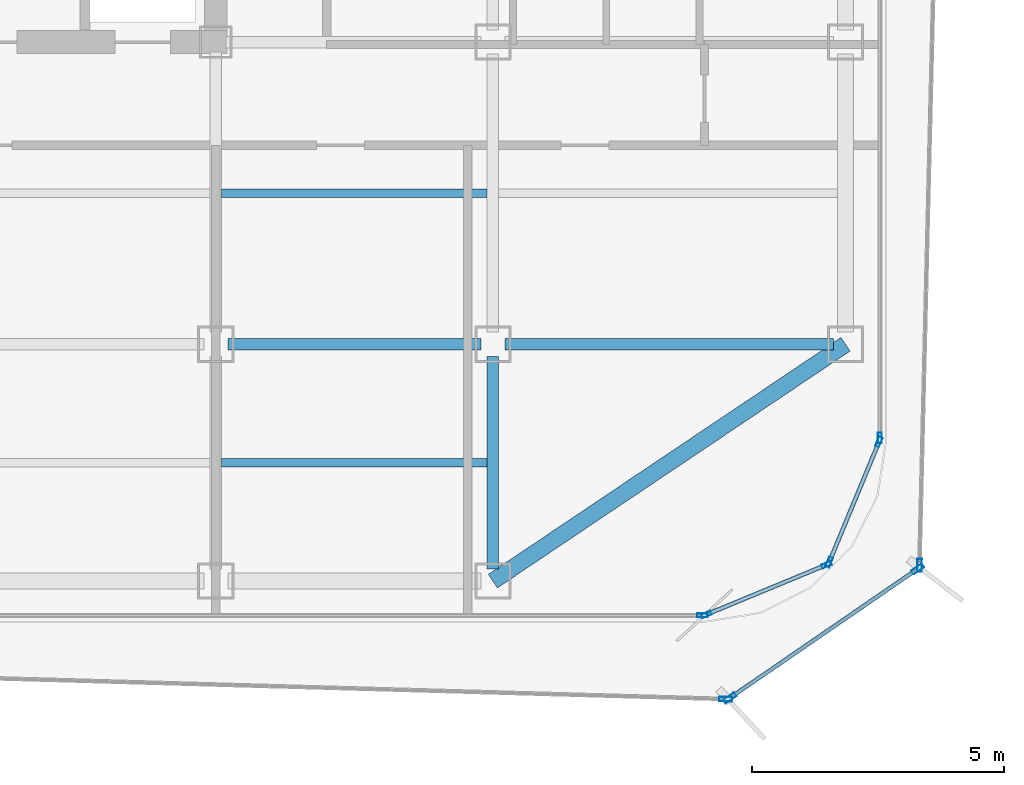
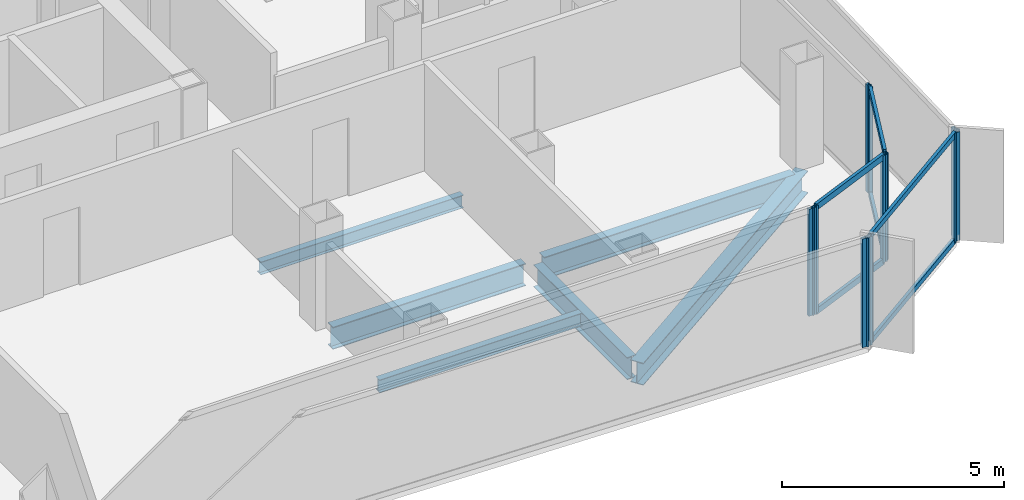
# One storey, part 4 of 15: 16 members, 6 beams, 7 elements without a shape of their own.
"""IFC4 building model written with IfcOpenShell, lengths in metres."""

from ifc_helpers import new_model, si_unit, direction, frame, origin, origin_2d, place, context, subcontext, project, spatial, hollow_rectangle, i_section, extrude, source, transform, mapped, material, layer, layer_set, material_profile, profile_set, type_object, element, aggregate, save


model = new_model("IFC4")

# Units and contexts
model_context = context("Model", 3, precision=1e-05, world=origin(), true_north=direction((0.0, 1.0)))
body_context = subcontext(model_context, "Body", "Model", "MODEL_VIEW")
ifc_project = project(units=[si_unit("LENGTHUNIT", "METRE"), si_unit("AREAUNIT", "SQUARE_METRE"), si_unit("VOLUMEUNIT", "CUBIC_METRE"), si_unit("PLANEANGLEUNIT", "RADIAN"), si_unit("MASSUNIT", "GRAM", prefix="KILO")], contexts=[model_context])

# Site, building, storey
site_placement = place(None, origin())
site = spatial("IfcSite", under=ifc_project, at=site_placement, CompositionType="ELEMENT")
building_placement = place(site_placement, origin())
building = spatial("IfcBuilding", under=site, at=building_placement, Name="Kolveth Station Tower", CompositionType="ELEMENT")
storey_placement = place(building_placement, frame((0.0, 0.0, 168.89990234375)))
storey = spatial("IfcBuildingStorey", under=building, at=storey_placement, Name="L47", CompositionType="ELEMENT", Elevation=168.89990234375)

# Beams
ifc_material_1 = material(Name="Steel S355", Category="steel")
ifc_material_profile_1 = material_profile(ifc_material_1, i_section(OverallWidth=0.323974609375, OverallDepth=0.611083984375, WebThickness=0.0126953125, FlangeThickness=0.01904296875, at=origin_2d()), Name="W610x155")
ifc_profile_set_1 = profile_set([ifc_material_profile_1], Name="Steel S355")
beam_type_1 = type_object("IfcBeamType", Name="Beam_SP2", PredefinedType="SPANDREL", material=ifc_profile_set_1)
shared_shape_1 = source(origin(), body_context, "Body", "SweptSolid", [
    extrude(i_section(OverallWidth=0.323974609375, OverallDepth=0.611083984375, WebThickness=0.0126953125, FlangeThickness=0.01904296875, at=origin_2d()), origin(), (0.0, 0.0, 1.0), 8.431396484375),
])
beam_1_placement = place(storey_placement, frame((34.0, 0.800048828125, -0.555419921875), z_axis=(0.830223811004, 0.557430196206, 0.0), x_axis=(-0.557430196206, 0.830223811004, 0.0)))
element("IfcBeam", 1, at=beam_1_placement, inside=storey, type_object=beam_type_1, Name="L47 Corner Edge Girder BM-L47-CNR-SE", PredefinedType="SPANDREL", context=body_context, shape_type="MappedRepresentation", body=[
    mapped(shared_shape_1, transform((0.0, 0.0, 0.0), x_axis=(1.0, 0.0, 0.0), y_axis=(0.0, 1.0, 0.0), z_axis=(0.0, 0.0, 1.0), scale=1.0)),
])
ifc_material_profile_2 = material_profile(ifc_material_1, i_section(OverallWidth=0.22900390625, OverallDepth=0.612060546875, WebThickness=0.011962890625, FlangeThickness=0.01953125, at=origin_2d()), Name="W610x125")
ifc_profile_set_2 = profile_set([ifc_material_profile_2], Name="Steel S355")
beam_type_2 = type_object("IfcBeamType", Name="Beam_B5", PredefinedType="BEAM", material=ifc_profile_set_2)
shared_shape_2 = source(origin(), body_context, "Body", "SweptSolid", [
    extrude(i_section(OverallWidth=0.22900390625, OverallDepth=0.612060546875, WebThickness=0.011962890625, FlangeThickness=0.01953125, at=origin_2d()), origin(), (0.0, 0.0, 1.0), 6.52001953125),
])
beam_2_placement = place(storey_placement, frame((34.239990234375, 5.5, -0.555908203125), z_axis=(1.0, 0.0, 0.0), x_axis=(0.0, 1.0, 0.0)))
element("IfcBeam", 2, at=beam_2_placement, inside=storey, type_object=beam_type_2, Name="L47 Primary Girder BM-L47-GY55-6", PredefinedType="BEAM", context=body_context, shape_type="MappedRepresentation", body=[
    mapped(shared_shape_2, transform((0.0, 0.0, 0.0), x_axis=(1.0, 0.0, 0.0), y_axis=(0.0, 1.0, 0.0), z_axis=(0.0, 0.0, 1.0), scale=1.0)),
])
shared_shape_3 = source(origin(), body_context, "Body", "SweptSolid", [
    extrude(i_section(OverallWidth=0.22900390625, OverallDepth=0.612060546875, WebThickness=0.011962890625, FlangeThickness=0.01953125, at=origin_2d()), origin(), (0.0, 0.0, 1.0), 5.02001953125),
])
beam_3_placement = place(storey_placement, frame((28.739990234375, 5.5, -0.555908203125), z_axis=(1.0, 0.0, 0.0), x_axis=(0.0, 1.0, 0.0)))
element("IfcBeam", 3, at=beam_3_placement, inside=storey, type_object=beam_type_2, Name="L47 Primary Girder BM-L47-GY55-5", PredefinedType="BEAM", context=body_context, shape_type="MappedRepresentation", body=[
    mapped(shared_shape_3, transform((0.0, 0.0, 0.0), x_axis=(1.0, 0.0, 0.0), y_axis=(0.0, 1.0, 0.0), z_axis=(0.0, 0.0, 1.0), scale=1.0)),
])
shared_shape_4 = source(origin(), body_context, "Body", "SweptSolid", [
    extrude(i_section(OverallWidth=0.22900390625, OverallDepth=0.612060546875, WebThickness=0.011962890625, FlangeThickness=0.01953125, at=origin_2d()), origin(), (0.0, 0.0, 1.0), 4.219970703125),
])
beam_4_placement = place(storey_placement, frame((34.0, 1.0400390625, -0.555908203125), z_axis=(0.0, 1.0, 0.0), x_axis=(-1.0, 0.0, 0.0)))
element("IfcBeam", 4, at=beam_4_placement, inside=storey, type_object=beam_type_2, Name="L47 Primary Girder BM-L47-GX340-1", PredefinedType="BEAM", context=body_context, shape_type="MappedRepresentation", body=[
    mapped(shared_shape_4, transform((0.0, 0.0, 0.0), x_axis=(1.0, 0.0, 0.0), y_axis=(0.0, 1.0, 0.0), z_axis=(0.0, 0.0, 1.0), scale=1.0)),
])
ifc_material_profile_3 = material_profile(ifc_material_1, i_section(OverallWidth=0.1708984375, OverallDepth=0.35205078125, WebThickness=0.0068359375, FlangeThickness=0.009765625, at=origin_2d()), Name="W360x44")
ifc_profile_set_3 = profile_set([ifc_material_profile_3], Name="Steel S355")
beam_type_3 = type_object("IfcBeamType", Name="Beam_J2", PredefinedType="JOIST", material=ifc_profile_set_3)
shared_shape_5 = source(origin(), body_context, "Body", "SweptSolid", [
    extrude(i_section(OverallWidth=0.1708984375, OverallDepth=0.35205078125, WebThickness=0.0068359375, FlangeThickness=0.009765625, at=origin_2d()), origin(), (0.0, 0.0, 1.0), 5.27490234375),
])
for number, where, z_axis, x_axis, name in (
    (5, (28.612548828125, 3.14990234375, -0.42578125), (1.0, 0.0, 0.0), (0.0, 1.0, 0.0), "L47 Secondary Joist JST-L47-5-1"),
    (6, (28.612548828125, 8.5, -0.42578125), (1.0, 0.0, 0.0), (0.0, 1.0, 0.0), "L47 Secondary Joist JST-L47-5-2"),
):
    element("IfcBeam", number, at=place(storey_placement, frame(where, z_axis=z_axis, x_axis=x_axis)), inside=storey, type_object=beam_type_3, Name=name, PredefinedType="JOIST", context=body_context, shape_type="MappedRepresentation", body=[
        mapped(shared_shape_5, transform((0.0, 0.0, 0.0), x_axis=(1.0, 0.0, 0.0), y_axis=(0.0, 1.0, 0.0), z_axis=(0.0, 0.0, 1.0), scale=1.0)),
    ])

# Curtain wall, members
ifc_material_2 = material(Name="Black anodized aluminium 6063-T6 and dark solar glass", Category="aluminium")
ifc_layer_1 = layer(ifc_material_2, 0.159912109375)
ifc_layer_set_1 = layer_set([ifc_layer_1], Name="Black anodized aluminium 6063-T6 and dark solar glass")
curtain_wall_type_1 = type_object("IfcCurtainWallType", Name="OUTER SKIN CW-OS", PredefinedType="NOTDEFINED", material=ifc_layer_set_1)
curtain_wall_1_placement = place(storey_placement, origin())
curtain_wall_1 = element("IfcCurtainWall", 7, at=curtain_wall_1_placement, inside=storey, type_object=curtain_wall_type_1, Name="L47 Outer Ventilated Skin Curtain Wall 1", PredefinedType="NOTDEFINED")
ifc_material_3 = material(Name="Black anodized aluminium 6063-T6", Category="aluminium")
ifc_material_profile_4 = material_profile(ifc_material_3, hollow_rectangle(XDim=0.090087890625, YDim=0.260009765625, WallThickness=0.0048828125, at=origin_2d()), Name="ALU-90x260x5")
ifc_profile_set_4 = profile_set([ifc_material_profile_4], Name="Black anodized aluminium 6063-T6")
member_type_1 = type_object("IfcMemberType", Name="FIN MULLION ML-OS", PredefinedType="MULLION", material=ifc_profile_set_4)
shared_shape_6 = source(origin(), body_context, "Body", "SweptSolid", [
    extrude(hollow_rectangle(XDim=0.090087890625, YDim=0.260009765625, WallThickness=0.0048828125, at=origin_2d()), origin(), (0.0, 0.0, 1.0), 2.989990234375),
])
member_1_placement = place(storey_placement, frame((38.702880859375, -1.520263671875, 0.0), z_axis=(0.0, 0.0, 1.0), x_axis=(-0.56624917967, 0.824234109051, 0.0)))
member_1 = element("IfcMember", 8, at=member_1_placement, type_object=member_type_1, Name="CW-OS mullion 1", PredefinedType="MULLION", context=body_context, shape_type="MappedRepresentation", body=[
    mapped(shared_shape_6, transform((0.0, 0.0, 0.0), x_axis=(1.0, 0.0, 0.0), y_axis=(0.0, 1.0, 0.0), z_axis=(0.0, 0.0, 1.0), scale=1.0)),
])
member_2_placement = place(storey_placement, frame((42.431884765625, 1.04150390625, 0.0), z_axis=(0.0, 0.0, 1.0), x_axis=(-0.56624917967, 0.824234109051, 0.0)))
member_2 = element("IfcMember", 9, at=member_2_placement, type_object=member_type_1, Name="CW-OS mullion 2", PredefinedType="MULLION", context=body_context, shape_type="MappedRepresentation", body=[
    mapped(shared_shape_6, transform((0.0, 0.0, 0.0), x_axis=(1.0, 0.0, 0.0), y_axis=(0.0, 1.0, 0.0), z_axis=(0.0, 0.0, 1.0), scale=1.0)),
])

# Curtain wall, member
curtain_wall_2_placement = place(storey_placement, origin())
curtain_wall_2 = element("IfcCurtainWall", 10, at=curtain_wall_2_placement, inside=storey, type_object=curtain_wall_type_1, Name="L47 Outer Ventilated Skin Curtain Wall 2", PredefinedType="NOTDEFINED")
member_3_placement = place(storey_placement, frame((42.469970703125, 1.112060546875, 0.0), z_axis=(0.0, 0.0, 1.0), x_axis=(-0.999708045637, 0.024162439612, 0.0)))
member_3 = element("IfcMember", 11, at=member_3_placement, type_object=member_type_1, Name="CW-OS mullion 1", PredefinedType="MULLION", context=body_context, shape_type="MappedRepresentation", body=[
    mapped(shared_shape_6, transform((0.0, 0.0, 0.0), x_axis=(1.0, 0.0, 0.0), y_axis=(0.0, 1.0, 0.0), z_axis=(0.0, 0.0, 1.0), scale=1.0)),
])
aggregate(curtain_wall_2, [member_3])

curtain_wall_3_placement = place(storey_placement, origin())
curtain_wall_3 = element("IfcCurtainWall", 12, at=curtain_wall_3_placement, inside=storey, type_object=curtain_wall_type_1, Name="L47 Outer Ventilated Skin Curtain Wall 8", PredefinedType="NOTDEFINED")
member_4_placement = place(storey_placement, frame((38.62060546875, -1.54443359375, 0.0), z_axis=(0.0, 0.0, 1.0), x_axis=(0.028326716282, 0.999598718059, 0.0)))
member_4 = element("IfcMember", 13, at=member_4_placement, type_object=member_type_1, Name="CW-OS mullion 2", PredefinedType="MULLION", context=body_context, shape_type="MappedRepresentation", body=[
    mapped(shared_shape_6, transform((0.0, 0.0, 0.0), x_axis=(1.0, 0.0, 0.0), y_axis=(0.0, 1.0, 0.0), z_axis=(0.0, 0.0, 1.0), scale=1.0)),
])
aggregate(curtain_wall_3, [member_4])

# Curtain wall, members
ifc_material_4 = material(Name="Aluminium 6063-T6 and low-E dark glass", Category="aluminium")
ifc_layer_2 = layer(ifc_material_4, 0.18994140625)
ifc_layer_set_2 = layer_set([ifc_layer_2], Name="Aluminium 6063-T6 and low-E dark glass")
curtain_wall_type_2 = type_object("IfcCurtainWallType", Name="CurtainWall_CW-Z2", PredefinedType="NOTDEFINED", material=ifc_layer_set_2)
curtain_wall_4_placement = place(storey_placement, origin())
curtain_wall_4 = element("IfcCurtainWall", 14, at=curtain_wall_4_placement, inside=storey, type_object=curtain_wall_type_2, Name="L47 Inner Thermal Curtain Wall 1", PredefinedType="NOTDEFINED")
ifc_material_profile_5 = material_profile(ifc_material_3, hollow_rectangle(XDim=0.080078125, YDim=0.199951171875, WallThickness=0.0048828125, at=origin_2d()), Name="ALU-80x200x5")
ifc_profile_set_5 = profile_set([ifc_material_profile_5], Name="Black anodized aluminium 6063-T6")
member_type_2 = type_object("IfcMemberType", Name="Mullion_ML2", PredefinedType="MULLION", material=ifc_profile_set_5)
shared_shape_7 = source(origin(), body_context, "Body", "SweptSolid", [
    extrude(hollow_rectangle(XDim=0.080078125, YDim=0.199951171875, WallThickness=0.0048828125, at=origin_2d()), origin(), (0.0, 0.0, 1.0), 2.9501953125),
])
member_5_placement = place(storey_placement, frame((38.237060546875, 0.13525390625, 0.0), z_axis=(0.0, 0.0, 1.0), x_axis=(-0.382697753087, 0.923873600544, 0.0)))
member_5 = element("IfcMember", 15, at=member_5_placement, type_object=member_type_2, Name="CW-Z2 mullion 1", PredefinedType="MULLION", context=body_context, shape_type="MappedRepresentation", body=[
    mapped(shared_shape_7, transform((0.0, 0.0, 0.0), x_axis=(1.0, 0.0, 0.0), y_axis=(0.0, 1.0, 0.0), z_axis=(0.0, 0.0, 1.0), scale=1.0)),
])
member_6_placement = place(storey_placement, frame((40.623779296875, 1.1240234375, 0.0), z_axis=(0.0, 0.0, 1.0), x_axis=(-0.382697753087, 0.923873600544, 0.0)))
member_6 = element("IfcMember", 16, at=member_6_placement, type_object=member_type_2, Name="CW-Z2 mullion 2", PredefinedType="MULLION", context=body_context, shape_type="MappedRepresentation", body=[
    mapped(shared_shape_7, transform((0.0, 0.0, 0.0), x_axis=(1.0, 0.0, 0.0), y_axis=(0.0, 1.0, 0.0), z_axis=(0.0, 0.0, 1.0), scale=1.0)),
])

curtain_wall_5_placement = place(storey_placement, origin())
curtain_wall_5 = element("IfcCurtainWall", 17, at=curtain_wall_5_placement, inside=storey, type_object=curtain_wall_type_2, Name="L47 Inner Thermal Curtain Wall 2", PredefinedType="NOTDEFINED")
member_7_placement = place(storey_placement, frame((40.676025390625, 1.17626953125, 0.0), z_axis=(0.0, 0.0, 1.0), x_axis=(-0.923873600544, 0.382697753087, 0.0)))
member_7 = element("IfcMember", 18, at=member_7_placement, type_object=member_type_2, Name="CW-Z2 mullion 1", PredefinedType="MULLION", context=body_context, shape_type="MappedRepresentation", body=[
    mapped(shared_shape_7, transform((0.0, 0.0, 0.0), x_axis=(1.0, 0.0, 0.0), y_axis=(0.0, 1.0, 0.0), z_axis=(0.0, 0.0, 1.0), scale=1.0)),
])
member_8_placement = place(storey_placement, frame((41.664794921875, 3.56298828125, 0.0), z_axis=(0.0, 0.0, 1.0), x_axis=(-0.923873600544, 0.382697753087, 0.0)))
member_8 = element("IfcMember", 19, at=member_8_placement, type_object=member_type_2, Name="CW-Z2 mullion 2", PredefinedType="MULLION", context=body_context, shape_type="MappedRepresentation", body=[
    mapped(shared_shape_7, transform((0.0, 0.0, 0.0), x_axis=(1.0, 0.0, 0.0), y_axis=(0.0, 1.0, 0.0), z_axis=(0.0, 0.0, 1.0), scale=1.0)),
])

# Curtain wall, member
curtain_wall_6_placement = place(storey_placement, origin())
curtain_wall_6 = element("IfcCurtainWall", 20, at=curtain_wall_6_placement, inside=storey, type_object=curtain_wall_type_2, Name="L47 Inner Thermal Curtain Wall 3", PredefinedType="NOTDEFINED")
member_9_placement = place(storey_placement, frame((41.679931640625, 3.639892578125, 0.0), z_axis=(0.0, 0.0, 1.0), x_axis=(-1.0, 0.0, 0.0)))
member_9 = element("IfcMember", 21, at=member_9_placement, type_object=member_type_2, Name="CW-Z2 mullion 1", PredefinedType="MULLION", context=body_context, shape_type="MappedRepresentation", body=[
    mapped(shared_shape_7, transform((0.0, 0.0, 0.0), x_axis=(1.0, 0.0, 0.0), y_axis=(0.0, 1.0, 0.0), z_axis=(0.0, 0.0, 1.0), scale=1.0)),
])
aggregate(curtain_wall_6, [member_9])

curtain_wall_7_placement = place(storey_placement, origin())
curtain_wall_7 = element("IfcCurtainWall", 22, at=curtain_wall_7_placement, inside=storey, type_object=curtain_wall_type_2, Name="L47 Inner Thermal Curtain Wall 12", PredefinedType="NOTDEFINED")
member_10_placement = place(storey_placement, frame((38.159912109375, 0.1201171875, 0.0), z_axis=(0.0, 0.0, 1.0), x_axis=(0.0, 1.0, 0.0)))
member_10 = element("IfcMember", 23, at=member_10_placement, type_object=member_type_2, Name="CW-Z2 mullion 2", PredefinedType="MULLION", context=body_context, shape_type="MappedRepresentation", body=[
    mapped(shared_shape_7, transform((0.0, 0.0, 0.0), x_axis=(1.0, 0.0, 0.0), y_axis=(0.0, 1.0, 0.0), z_axis=(0.0, 0.0, 1.0), scale=1.0)),
])
aggregate(curtain_wall_7, [member_10])

# Member
ifc_material_profile_6 = material_profile(ifc_material_3, hollow_rectangle(XDim=0.080078125, YDim=0.169921875, WallThickness=0.0048828125, at=origin_2d()), Name="ALU-80x170x5")
ifc_profile_set_6 = profile_set([ifc_material_profile_6], Name="Black anodized aluminium 6063-T6")
member_type_3 = type_object("IfcMemberType", Name="Transom_TR2", PredefinedType="USERDEFINED", material=ifc_profile_set_6)
shared_shape_8 = source(origin(), body_context, "Body", "SweptSolid", [
    extrude(hollow_rectangle(XDim=0.080078125, YDim=0.169921875, WallThickness=0.0048828125, at=origin_2d()), origin(), (0.0, 0.0, 1.0), 2.50341796875),
])
member_11_placement = place(storey_placement, frame((38.27392578125, 0.150634765625, 0.0400390625), z_axis=(0.923874190494, 0.382696328882, 0.0), x_axis=(-0.382696328882, 0.923874190494, 0.0)))
member_11 = element("IfcMember", 24, at=member_11_placement, type_object=member_type_3, Name="CW-Z2 transom 1.1", ObjectType="TRANSOM", PredefinedType="USERDEFINED", context=body_context, shape_type="MappedRepresentation", body=[
    mapped(shared_shape_8, transform((0.0, 0.0, 0.0), x_axis=(1.0, 0.0, 0.0), y_axis=(0.0, 1.0, 0.0), z_axis=(0.0, 0.0, 1.0), scale=1.0)),
])

member_12_placement = place(storey_placement, frame((38.27392578125, 0.150634765625, 2.91015625), z_axis=(0.923874190494, 0.382696328882, 0.0), x_axis=(-0.382696328882, 0.923874190494, 0.0)))
member_12 = element("IfcMember", 25, at=member_12_placement, type_object=member_type_3, Name="CW-Z2 transom 1.2", ObjectType="TRANSOM", PredefinedType="USERDEFINED", context=body_context, shape_type="MappedRepresentation", body=[
    mapped(shared_shape_8, transform((0.0, 0.0, 0.0), x_axis=(1.0, 0.0, 0.0), y_axis=(0.0, 1.0, 0.0), z_axis=(0.0, 0.0, 1.0), scale=1.0)),
])

aggregate(curtain_wall_4, [member_5, member_6, member_11, member_12])

member_13_placement = place(storey_placement, frame((40.69140625, 1.213134765625, 0.0400390625), z_axis=(0.382661849723, 0.923888472039, 0.0), x_axis=(-0.923888472039, 0.382661849723, 0.0)))
member_13 = element("IfcMember", 26, at=member_13_placement, type_object=member_type_3, Name="CW-Z2 transom 1.1", ObjectType="TRANSOM", PredefinedType="USERDEFINED", context=body_context, shape_type="MappedRepresentation", body=[
    mapped(shared_shape_8, transform((0.0, 0.0, 0.0), x_axis=(1.0, 0.0, 0.0), y_axis=(0.0, 1.0, 0.0), z_axis=(0.0, 0.0, 1.0), scale=1.0)),
])

member_14_placement = place(storey_placement, frame((40.69140625, 1.213134765625, 2.91015625), z_axis=(0.382661849723, 0.923888472039, 0.0), x_axis=(-0.923888472039, 0.382661849723, 0.0)))
member_14 = element("IfcMember", 27, at=member_14_placement, type_object=member_type_3, Name="CW-Z2 transom 1.2", ObjectType="TRANSOM", PredefinedType="USERDEFINED", context=body_context, shape_type="MappedRepresentation", body=[
    mapped(shared_shape_8, transform((0.0, 0.0, 0.0), x_axis=(1.0, 0.0, 0.0), y_axis=(0.0, 1.0, 0.0), z_axis=(0.0, 0.0, 1.0), scale=1.0)),
])

aggregate(curtain_wall_5, [member_7, member_8, member_13, member_14])

ifc_material_profile_7 = material_profile(ifc_material_3, hollow_rectangle(XDim=0.080078125, YDim=0.14990234375, WallThickness=0.0048828125, at=origin_2d()), Name="ALU-80x150x5")
ifc_profile_set_7 = profile_set([ifc_material_profile_7], Name="Black anodized aluminium 6063-T6")
member_type_4 = type_object("IfcMemberType", Name="Transom_TR-OS", PredefinedType="USERDEFINED", material=ifc_profile_set_7)
shared_shape_9 = source(origin(), body_context, "Body", "SweptSolid", [
    extrude(hollow_rectangle(XDim=0.080078125, YDim=0.14990234375, WallThickness=0.0048828125, at=origin_2d()), origin(), (0.0, 0.0, 1.0), 4.434326171875),
])
member_15_placement = place(storey_placement, frame((38.739990234375, -1.494873046875, 0.0400390625), z_axis=(0.824218595537, 0.566271760528, 0.0), x_axis=(-0.566271760528, 0.824218595537, 0.0)))
member_15 = element("IfcMember", 28, at=member_15_placement, type_object=member_type_4, Name="CW-OS transom 1.1", ObjectType="TRANSOM", PredefinedType="USERDEFINED", context=body_context, shape_type="MappedRepresentation", body=[
    mapped(shared_shape_9, transform((0.0, 0.0, 0.0), x_axis=(1.0, 0.0, 0.0), y_axis=(0.0, 1.0, 0.0), z_axis=(0.0, 0.0, 1.0), scale=1.0)),
])

member_16_placement = place(storey_placement, frame((38.739990234375, -1.494873046875, 2.9501953125), z_axis=(0.824218595537, 0.566271760528, 0.0), x_axis=(-0.566271760528, 0.824218595537, 0.0)))
member_16 = element("IfcMember", 29, at=member_16_placement, type_object=member_type_4, Name="CW-OS transom 1.2", ObjectType="TRANSOM", PredefinedType="USERDEFINED", context=body_context, shape_type="MappedRepresentation", body=[
    mapped(shared_shape_9, transform((0.0, 0.0, 0.0), x_axis=(1.0, 0.0, 0.0), y_axis=(0.0, 1.0, 0.0), z_axis=(0.0, 0.0, 1.0), scale=1.0)),
])

aggregate(curtain_wall_1, [member_1, member_2, member_15, member_16])

save(model, "model.ifc")
